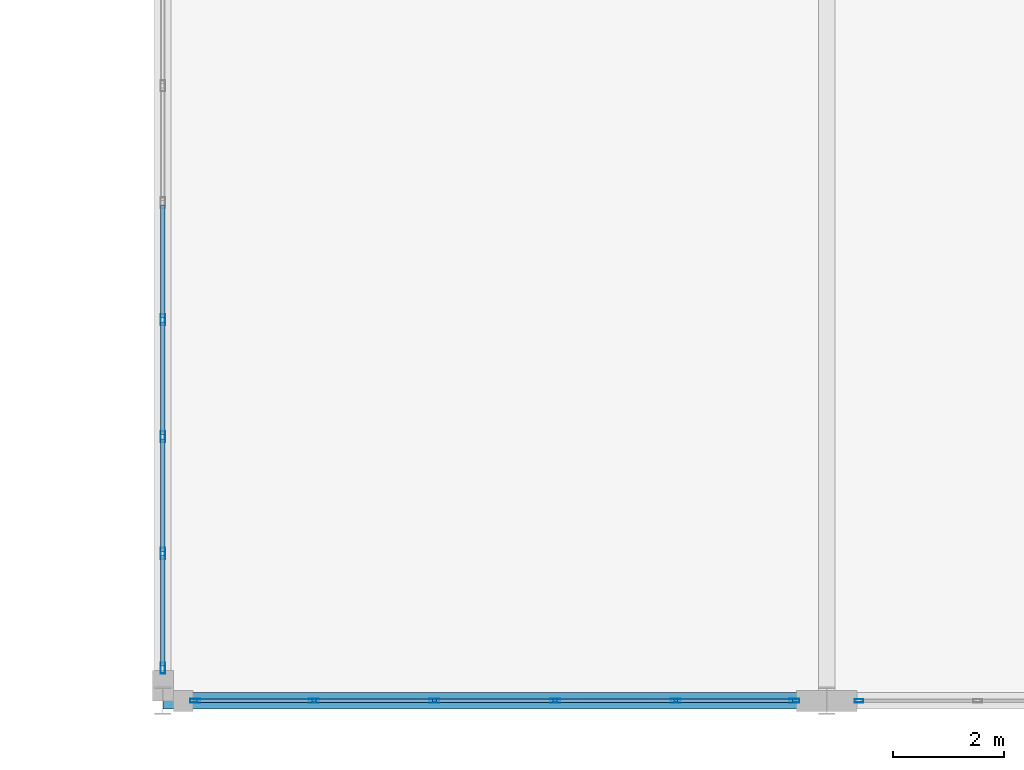
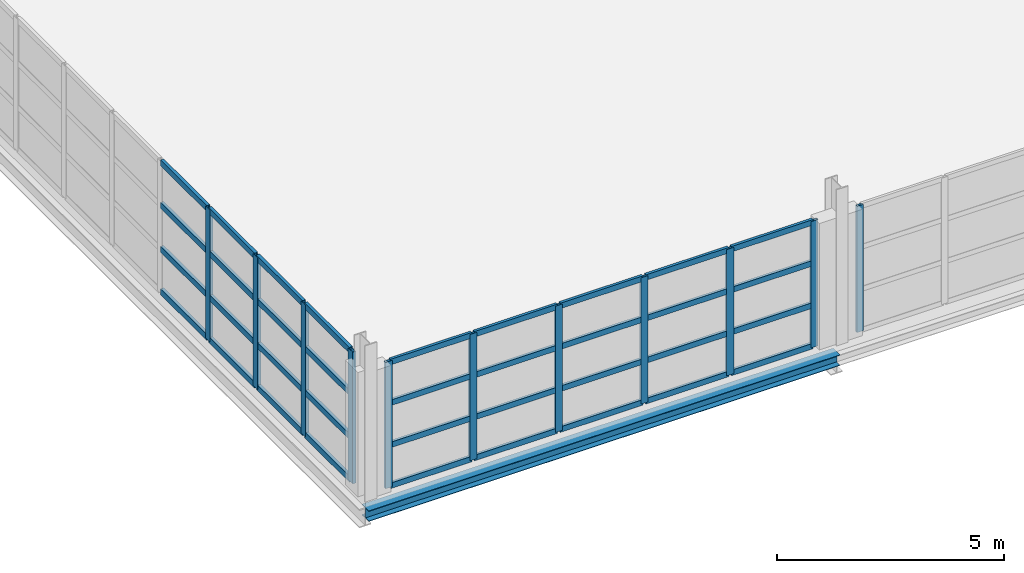
# One storey, part 22 of 158: 47 members, 1 beam, 3 elements without a shape of their own.
"""IFC4 building model written with IfcOpenShell, lengths in metres."""

from ifc_helpers import new_model, si_unit, direction, frame, origin, origin_2d, place, context, subcontext, project, spatial, hollow_rectangle, i_section, extrude, material, layer, layer_set, material_profile, profile_set, type_object, element, aggregate, save


model = new_model("IFC4")

# Units and contexts
model_context = context("Model", 3, precision=1e-05, world=origin(), true_north=direction((0.0, 1.0)))
body_context = subcontext(model_context, "Body", "Model", "MODEL_VIEW")
ifc_project = project(units=[si_unit("LENGTHUNIT", "METRE"), si_unit("AREAUNIT", "SQUARE_METRE"), si_unit("VOLUMEUNIT", "CUBIC_METRE"), si_unit("PLANEANGLEUNIT", "RADIAN"), si_unit("MASSUNIT", "GRAM", prefix="KILO")], contexts=[model_context])

# Site, building, storey
site_placement = place(None, origin())
site = spatial("IfcSite", under=ifc_project, at=site_placement, CompositionType="ELEMENT")
building_placement = place(site_placement, origin())
building = spatial("IfcBuilding", under=site, at=building_placement, Name="Zilviju Railside Exhibition Hall", CompositionType="ELEMENT")
storey_placement = place(building_placement, frame((0.0, 0.0, 4.199951171875)))
storey = spatial("IfcBuildingStorey", under=building, at=storey_placement, Name="L02", CompositionType="ELEMENT", Elevation=4.199951171875)

# Beam
ifc_material_1 = material(Name="Steel S355J2", Category="steel")
ifc_material_profile_1 = material_profile(ifc_material_1, i_section(OverallWidth=0.300048828125, OverallDepth=0.2900390625, WebThickness=0.008544921875, FlangeThickness=0.013916015625, at=origin_2d()), Name="HEA 300")
ifc_profile_set_1 = profile_set([ifc_material_profile_1], Name="Steel S355J2")
beam_type = type_object("IfcBeamType", Name="BM-HEA300", PredefinedType="SPANDREL", material=ifc_profile_set_1)
beam_placement = place(storey_placement, frame((48.0, 0.0, -0.494873046875), z_axis=(1.0, 0.0, 0.0), x_axis=(0.0, 1.0, 0.0)))
element("IfcBeam", 1, at=beam_placement, inside=storey, type_object=beam_type, Name="Primary Girder L02 Y=0.0 (48.0..60.0)", PredefinedType="SPANDREL", context=body_context, shape_type="SweptSolid", body=[
    extrude(i_section(OverallWidth=0.300048828125, OverallDepth=0.2900390625, WebThickness=0.008544921875, FlangeThickness=0.013916015625, at=origin_2d()), origin(), (0.0, 0.0, 1.0), 12.0),
])

# Curtain wall, member
ifc_material_2 = material(Name="Thermally broken aluminium-steel triple-glazed curtain wall", Category="steel")
ifc_layer_1 = layer(ifc_material_2, 0.179931640625)
ifc_layer_set_1 = layer_set([ifc_layer_1], Name="Thermally broken aluminium-steel triple-glazed curtain wall")
curtain_wall_type_1 = type_object("IfcCurtainWallType", Name="CW-BAY-12", PredefinedType="USERDEFINED", material=ifc_layer_set_1)
curtain_wall_1_placement = place(storey_placement, origin())
curtain_wall_1 = element("IfcCurtainWall", 2, at=curtain_wall_1_placement, inside=storey, type_object=curtain_wall_type_1, Name="Winter Concourse South Upper Curtain Wall (60..72)", ObjectType="GLAZED CURTAIN WALL", PredefinedType="USERDEFINED")
ifc_material_3 = material(Name="Thermally broken anodized aluminium mullion", Category="aluminium")
ifc_material_profile_2 = material_profile(ifc_material_3, hollow_rectangle(XDim=0.06494140625, YDim=0.159912109375, WallThickness=0.0048828125, at=origin_2d()), Name="MULLION 160x65x5")
ifc_profile_set_2 = profile_set([ifc_material_profile_2], Name="Thermally broken anodized aluminium mullion")
member_type_1 = type_object("IfcMemberType", Name="CWM-65x160", PredefinedType="MULLION", material=ifc_profile_set_2)
member_1_placement = place(storey_placement, frame((60.58251953125, 0.0, 0.0), z_axis=(0.0, 0.0, 1.0), x_axis=(0.0, -1.0, 0.0)))
member_1 = element("IfcMember", 3, at=member_1_placement, type_object=member_type_1, Name="CW-12 mullion 6", PredefinedType="MULLION", context=body_context, shape_type="SweptSolid", body=[
    extrude(hollow_rectangle(XDim=0.06494140625, YDim=0.159912109375, WallThickness=0.0048828125, at=origin_2d()), origin(), (0.0, 0.0, 1.0), 3.400146484375),
])
aggregate(curtain_wall_1, [member_1])

# Curtain wall, members
ifc_layer_2 = layer(ifc_material_2, 0.179931640625)
ifc_layer_set_2 = layer_set([ifc_layer_2], Name="Thermally broken aluminium-steel triple-glazed curtain wall")
curtain_wall_type_2 = type_object("IfcCurtainWallType", Name="CW-BAY-11", PredefinedType="USERDEFINED", material=ifc_layer_set_2)
curtain_wall_2_placement = place(storey_placement, origin())
curtain_wall_2 = element("IfcCurtainWall", 4, at=curtain_wall_2_placement, inside=storey, type_object=curtain_wall_type_2, Name="Winter Concourse South Upper Curtain Wall (48..60)", ObjectType="GLAZED CURTAIN WALL", PredefinedType="USERDEFINED")
ifc_material_profile_3 = material_profile(ifc_material_3, hollow_rectangle(XDim=0.070068359375, YDim=0.179931640625, WallThickness=0.0048828125, at=origin_2d()), Name="MULLION 180x70x5")
ifc_profile_set_3 = profile_set([ifc_material_profile_3], Name="Thermally broken anodized aluminium mullion")
member_type_2 = type_object("IfcMemberType", Name="CWM-70x180", PredefinedType="MULLION", material=ifc_profile_set_3)
member_2_placement = place(storey_placement, frame((59.4150390625, 0.0, 0.0), z_axis=(0.0, 0.0, 1.0), x_axis=(0.0, -1.0, 0.0)))
member_2 = element("IfcMember", 5, at=member_2_placement, type_object=member_type_2, Name="CW-11 mullion 1", PredefinedType="MULLION", context=body_context, shape_type="SweptSolid", body=[
    extrude(hollow_rectangle(XDim=0.070068359375, YDim=0.179931640625, WallThickness=0.0048828125, at=origin_2d()), origin(), (0.0, 0.0, 1.0), 3.400146484375),
])
member_3_placement = place(storey_placement, frame((57.27001953125, 0.0, 0.0), z_axis=(0.0, 0.0, 1.0), x_axis=(0.0, -1.0, 0.0)))
member_3 = element("IfcMember", 6, at=member_3_placement, type_object=member_type_2, Name="CW-11 mullion 2", PredefinedType="MULLION", context=body_context, shape_type="SweptSolid", body=[
    extrude(hollow_rectangle(XDim=0.070068359375, YDim=0.179931640625, WallThickness=0.0048828125, at=origin_2d()), origin(), (0.0, 0.0, 1.0), 3.400146484375),
])
member_4_placement = place(storey_placement, frame((55.090087890625, 0.0, 0.0), z_axis=(0.0, 0.0, 1.0), x_axis=(0.0, -1.0, 0.0)))
member_4 = element("IfcMember", 7, at=member_4_placement, type_object=member_type_2, Name="CW-11 mullion 3", PredefinedType="MULLION", context=body_context, shape_type="SweptSolid", body=[
    extrude(hollow_rectangle(XDim=0.070068359375, YDim=0.179931640625, WallThickness=0.0048828125, at=origin_2d()), origin(), (0.0, 0.0, 1.0), 3.400146484375),
])
member_5_placement = place(storey_placement, frame((52.909912109375, 0.0, 0.0), z_axis=(0.0, 0.0, 1.0), x_axis=(0.0, -1.0, 0.0)))
member_5 = element("IfcMember", 8, at=member_5_placement, type_object=member_type_2, Name="CW-11 mullion 4", PredefinedType="MULLION", context=body_context, shape_type="SweptSolid", body=[
    extrude(hollow_rectangle(XDim=0.070068359375, YDim=0.179931640625, WallThickness=0.0048828125, at=origin_2d()), origin(), (0.0, 0.0, 1.0), 3.400146484375),
])
member_6_placement = place(storey_placement, frame((50.72998046875, 0.0, 0.0), z_axis=(0.0, 0.0, 1.0), x_axis=(0.0, -1.0, 0.0)))
member_6 = element("IfcMember", 9, at=member_6_placement, type_object=member_type_2, Name="CW-11 mullion 5", PredefinedType="MULLION", context=body_context, shape_type="SweptSolid", body=[
    extrude(hollow_rectangle(XDim=0.070068359375, YDim=0.179931640625, WallThickness=0.0048828125, at=origin_2d()), origin(), (0.0, 0.0, 1.0), 3.400146484375),
])
member_7_placement = place(storey_placement, frame((48.5849609375, 0.0, 0.0), z_axis=(0.0, 0.0, 1.0), x_axis=(0.0, -1.0, 0.0)))
member_7 = element("IfcMember", 10, at=member_7_placement, type_object=member_type_2, Name="CW-11 mullion 6", PredefinedType="MULLION", context=body_context, shape_type="SweptSolid", body=[
    extrude(hollow_rectangle(XDim=0.070068359375, YDim=0.179931640625, WallThickness=0.0048828125, at=origin_2d()), origin(), (0.0, 0.0, 1.0), 3.400146484375),
])

ifc_layer_3 = layer(ifc_material_2, 0.179931640625)
ifc_layer_set_3 = layer_set([ifc_layer_3], Name="Thermally broken aluminium-steel triple-glazed curtain wall")
curtain_wall_type_3 = type_object("IfcCurtainWallType", Name="CW-BAY-14", PredefinedType="USERDEFINED", material=ifc_layer_set_3)
curtain_wall_3_placement = place(storey_placement, origin())
curtain_wall_3 = element("IfcCurtainWall", 11, at=curtain_wall_3_placement, inside=storey, type_object=curtain_wall_type_3, Name="Winter Concourse Forecourt Curtain Wall L02", ObjectType="GLAZED CURTAIN WALL", PredefinedType="USERDEFINED")
ifc_material_profile_4 = material_profile(ifc_material_3, hollow_rectangle(XDim=0.080078125, YDim=0.199951171875, WallThickness=0.0048828125, at=origin_2d()), Name="MULLION 200x80x5")
ifc_profile_set_4 = profile_set([ifc_material_profile_4], Name="Thermally broken anodized aluminium mullion")
member_type_3 = type_object("IfcMemberType", Name="CWM-80x200", PredefinedType="MULLION", material=ifc_profile_set_4)
member_8_placement = place(storey_placement, frame((48.0, 0.590087890625, 0.0), z_axis=(0.0, 0.0, 1.0), x_axis=(-1.0, 0.0, 0.0)))
member_8 = element("IfcMember", 12, at=member_8_placement, type_object=member_type_3, Name="CW-14 mullion 1", PredefinedType="MULLION", context=body_context, shape_type="SweptSolid", body=[
    extrude(hollow_rectangle(XDim=0.080078125, YDim=0.199951171875, WallThickness=0.0048828125, at=origin_2d()), origin(), (0.0, 0.0, 1.0), 3.550048828125),
])
member_9_placement = place(storey_placement, frame((48.0, 2.66259765625, 0.0), z_axis=(0.0, 0.0, 1.0), x_axis=(-1.0, 0.0, 0.0)))
member_9 = element("IfcMember", 13, at=member_9_placement, type_object=member_type_3, Name="CW-14 mullion 2", PredefinedType="MULLION", context=body_context, shape_type="SweptSolid", body=[
    extrude(hollow_rectangle(XDim=0.080078125, YDim=0.199951171875, WallThickness=0.0048828125, at=origin_2d()), origin(), (0.0, 0.0, 1.0), 3.550048828125),
])
member_10_placement = place(storey_placement, frame((48.0, 4.77490234375, 0.0), z_axis=(0.0, 0.0, 1.0), x_axis=(-1.0, 0.0, 0.0)))
member_10 = element("IfcMember", 14, at=member_10_placement, type_object=member_type_3, Name="CW-14 mullion 3", PredefinedType="MULLION", context=body_context, shape_type="SweptSolid", body=[
    extrude(hollow_rectangle(XDim=0.080078125, YDim=0.199951171875, WallThickness=0.0048828125, at=origin_2d()), origin(), (0.0, 0.0, 1.0), 3.550048828125),
])
member_11_placement = place(storey_placement, frame((48.0, 6.887451171875, 0.0), z_axis=(0.0, 0.0, 1.0), x_axis=(-1.0, 0.0, 0.0)))
member_11 = element("IfcMember", 15, at=member_11_placement, type_object=member_type_3, Name="CW-14 mullion 4", PredefinedType="MULLION", context=body_context, shape_type="SweptSolid", body=[
    extrude(hollow_rectangle(XDim=0.080078125, YDim=0.199951171875, WallThickness=0.0048828125, at=origin_2d()), origin(), (0.0, 0.0, 1.0), 3.550048828125),
])

# Member
ifc_material_4 = material(Name="Thermally broken anodized aluminium transom", Category="aluminium")
ifc_material_profile_5 = material_profile(ifc_material_4, hollow_rectangle(XDim=0.070068359375, YDim=0.14990234375, WallThickness=0.0048828125, at=origin_2d()), Name="TRANSOM 150x70x5")
ifc_profile_set_5 = profile_set([ifc_material_profile_5], Name="Thermally broken anodized aluminium transom")
member_type_4 = type_object("IfcMemberType", Name="CWT-70x150", PredefinedType="USERDEFINED", material=ifc_profile_set_5)
member_12_placement = place(storey_placement, frame((59.3798828125, 0.0, 0.03515625), z_axis=(-1.0, 0.0, 0.0), x_axis=(0.0, -1.0, 0.0)))
member_12 = element("IfcMember", 16, at=member_12_placement, type_object=member_type_4, Name="CW-11 transom 1.1", ObjectType="TRANSOM", PredefinedType="USERDEFINED", context=body_context, shape_type="SweptSolid", body=[
    extrude(hollow_rectangle(XDim=0.070068359375, YDim=0.14990234375, WallThickness=0.0048828125, at=origin_2d()), origin(), (0.0, 0.0, 1.0), 2.074951171875),
])

member_13_placement = place(storey_placement, frame((59.3798828125, 0.0, 1.133056640625), z_axis=(-1.0, 0.0, 0.0), x_axis=(0.0, -1.0, 0.0)))
member_13 = element("IfcMember", 17, at=member_13_placement, type_object=member_type_4, Name="CW-11 transom 1.2", ObjectType="TRANSOM", PredefinedType="USERDEFINED", context=body_context, shape_type="SweptSolid", body=[
    extrude(hollow_rectangle(XDim=0.070068359375, YDim=0.14990234375, WallThickness=0.0048828125, at=origin_2d()), origin(), (0.0, 0.0, 1.0), 2.074951171875),
])

member_14_placement = place(storey_placement, frame((59.3798828125, 0.0, 2.26708984375), z_axis=(-1.0, 0.0, 0.0), x_axis=(0.0, -1.0, 0.0)))
member_14 = element("IfcMember", 18, at=member_14_placement, type_object=member_type_4, Name="CW-11 transom 1.3", ObjectType="TRANSOM", PredefinedType="USERDEFINED", context=body_context, shape_type="SweptSolid", body=[
    extrude(hollow_rectangle(XDim=0.070068359375, YDim=0.14990234375, WallThickness=0.0048828125, at=origin_2d()), origin(), (0.0, 0.0, 1.0), 2.074951171875),
])

member_15_placement = place(storey_placement, frame((59.3798828125, 0.0, 3.364990234375), z_axis=(-1.0, 0.0, 0.0), x_axis=(0.0, -1.0, 0.0)))
member_15 = element("IfcMember", 19, at=member_15_placement, type_object=member_type_4, Name="CW-11 transom 1.4", ObjectType="TRANSOM", PredefinedType="USERDEFINED", context=body_context, shape_type="SweptSolid", body=[
    extrude(hollow_rectangle(XDim=0.070068359375, YDim=0.14990234375, WallThickness=0.0048828125, at=origin_2d()), origin(), (0.0, 0.0, 1.0), 2.074951171875),
])

member_16_placement = place(storey_placement, frame((57.235107421875, 0.0, 0.03515625), z_axis=(-1.0, 0.0, 0.0), x_axis=(0.0, -1.0, 0.0)))
member_16 = element("IfcMember", 20, at=member_16_placement, type_object=member_type_4, Name="CW-11 transom 2.1", ObjectType="TRANSOM", PredefinedType="USERDEFINED", context=body_context, shape_type="SweptSolid", body=[
    extrude(hollow_rectangle(XDim=0.070068359375, YDim=0.14990234375, WallThickness=0.0048828125, at=origin_2d()), origin(), (0.0, 0.0, 1.0), 2.110107421875),
])

member_17_placement = place(storey_placement, frame((57.235107421875, 0.0, 1.133056640625), z_axis=(-1.0, 0.0, 0.0), x_axis=(0.0, -1.0, 0.0)))
member_17 = element("IfcMember", 21, at=member_17_placement, type_object=member_type_4, Name="CW-11 transom 2.2", ObjectType="TRANSOM", PredefinedType="USERDEFINED", context=body_context, shape_type="SweptSolid", body=[
    extrude(hollow_rectangle(XDim=0.070068359375, YDim=0.14990234375, WallThickness=0.0048828125, at=origin_2d()), origin(), (0.0, 0.0, 1.0), 2.110107421875),
])

member_18_placement = place(storey_placement, frame((57.235107421875, 0.0, 2.26708984375), z_axis=(-1.0, 0.0, 0.0), x_axis=(0.0, -1.0, 0.0)))
member_18 = element("IfcMember", 22, at=member_18_placement, type_object=member_type_4, Name="CW-11 transom 2.3", ObjectType="TRANSOM", PredefinedType="USERDEFINED", context=body_context, shape_type="SweptSolid", body=[
    extrude(hollow_rectangle(XDim=0.070068359375, YDim=0.14990234375, WallThickness=0.0048828125, at=origin_2d()), origin(), (0.0, 0.0, 1.0), 2.110107421875),
])

member_19_placement = place(storey_placement, frame((57.235107421875, 0.0, 3.364990234375), z_axis=(-1.0, 0.0, 0.0), x_axis=(0.0, -1.0, 0.0)))
member_19 = element("IfcMember", 23, at=member_19_placement, type_object=member_type_4, Name="CW-11 transom 2.4", ObjectType="TRANSOM", PredefinedType="USERDEFINED", context=body_context, shape_type="SweptSolid", body=[
    extrude(hollow_rectangle(XDim=0.070068359375, YDim=0.14990234375, WallThickness=0.0048828125, at=origin_2d()), origin(), (0.0, 0.0, 1.0), 2.110107421875),
])

member_20_placement = place(storey_placement, frame((55.054931640625, 0.0, 0.03515625), z_axis=(-1.0, 0.0, 0.0), x_axis=(0.0, -1.0, 0.0)))
member_20 = element("IfcMember", 24, at=member_20_placement, type_object=member_type_4, Name="CW-11 transom 3.1", ObjectType="TRANSOM", PredefinedType="USERDEFINED", context=body_context, shape_type="SweptSolid", body=[
    extrude(hollow_rectangle(XDim=0.070068359375, YDim=0.14990234375, WallThickness=0.0048828125, at=origin_2d()), origin(), (0.0, 0.0, 1.0), 2.10986328125),
])

member_21_placement = place(storey_placement, frame((55.054931640625, 0.0, 1.133056640625), z_axis=(-1.0, 0.0, 0.0), x_axis=(0.0, -1.0, 0.0)))
member_21 = element("IfcMember", 25, at=member_21_placement, type_object=member_type_4, Name="CW-11 transom 3.2", ObjectType="TRANSOM", PredefinedType="USERDEFINED", context=body_context, shape_type="SweptSolid", body=[
    extrude(hollow_rectangle(XDim=0.070068359375, YDim=0.14990234375, WallThickness=0.0048828125, at=origin_2d()), origin(), (0.0, 0.0, 1.0), 2.10986328125),
])

member_22_placement = place(storey_placement, frame((55.054931640625, 0.0, 2.26708984375), z_axis=(-1.0, 0.0, 0.0), x_axis=(0.0, -1.0, 0.0)))
member_22 = element("IfcMember", 26, at=member_22_placement, type_object=member_type_4, Name="CW-11 transom 3.3", ObjectType="TRANSOM", PredefinedType="USERDEFINED", context=body_context, shape_type="SweptSolid", body=[
    extrude(hollow_rectangle(XDim=0.070068359375, YDim=0.14990234375, WallThickness=0.0048828125, at=origin_2d()), origin(), (0.0, 0.0, 1.0), 2.10986328125),
])

member_23_placement = place(storey_placement, frame((55.054931640625, 0.0, 3.364990234375), z_axis=(-1.0, 0.0, 0.0), x_axis=(0.0, -1.0, 0.0)))
member_23 = element("IfcMember", 27, at=member_23_placement, type_object=member_type_4, Name="CW-11 transom 3.4", ObjectType="TRANSOM", PredefinedType="USERDEFINED", context=body_context, shape_type="SweptSolid", body=[
    extrude(hollow_rectangle(XDim=0.070068359375, YDim=0.14990234375, WallThickness=0.0048828125, at=origin_2d()), origin(), (0.0, 0.0, 1.0), 2.10986328125),
])

member_24_placement = place(storey_placement, frame((52.875, 0.0, 0.03515625), z_axis=(-1.0, 0.0, 0.0), x_axis=(0.0, -1.0, 0.0)))
member_24 = element("IfcMember", 28, at=member_24_placement, type_object=member_type_4, Name="CW-11 transom 4.1", ObjectType="TRANSOM", PredefinedType="USERDEFINED", context=body_context, shape_type="SweptSolid", body=[
    extrude(hollow_rectangle(XDim=0.070068359375, YDim=0.14990234375, WallThickness=0.0048828125, at=origin_2d()), origin(), (0.0, 0.0, 1.0), 2.110107421875),
])

member_25_placement = place(storey_placement, frame((52.875, 0.0, 1.133056640625), z_axis=(-1.0, 0.0, 0.0), x_axis=(0.0, -1.0, 0.0)))
member_25 = element("IfcMember", 29, at=member_25_placement, type_object=member_type_4, Name="CW-11 transom 4.2", ObjectType="TRANSOM", PredefinedType="USERDEFINED", context=body_context, shape_type="SweptSolid", body=[
    extrude(hollow_rectangle(XDim=0.070068359375, YDim=0.14990234375, WallThickness=0.0048828125, at=origin_2d()), origin(), (0.0, 0.0, 1.0), 2.110107421875),
])

member_26_placement = place(storey_placement, frame((52.875, 0.0, 2.26708984375), z_axis=(-1.0, 0.0, 0.0), x_axis=(0.0, -1.0, 0.0)))
member_26 = element("IfcMember", 30, at=member_26_placement, type_object=member_type_4, Name="CW-11 transom 4.3", ObjectType="TRANSOM", PredefinedType="USERDEFINED", context=body_context, shape_type="SweptSolid", body=[
    extrude(hollow_rectangle(XDim=0.070068359375, YDim=0.14990234375, WallThickness=0.0048828125, at=origin_2d()), origin(), (0.0, 0.0, 1.0), 2.110107421875),
])

member_27_placement = place(storey_placement, frame((52.875, 0.0, 3.364990234375), z_axis=(-1.0, 0.0, 0.0), x_axis=(0.0, -1.0, 0.0)))
member_27 = element("IfcMember", 31, at=member_27_placement, type_object=member_type_4, Name="CW-11 transom 4.4", ObjectType="TRANSOM", PredefinedType="USERDEFINED", context=body_context, shape_type="SweptSolid", body=[
    extrude(hollow_rectangle(XDim=0.070068359375, YDim=0.14990234375, WallThickness=0.0048828125, at=origin_2d()), origin(), (0.0, 0.0, 1.0), 2.110107421875),
])

member_28_placement = place(storey_placement, frame((50.695068359375, 0.0, 0.03515625), z_axis=(-1.0, 0.0, 0.0), x_axis=(0.0, -1.0, 0.0)))
member_28 = element("IfcMember", 32, at=member_28_placement, type_object=member_type_4, Name="CW-11 transom 5.1", ObjectType="TRANSOM", PredefinedType="USERDEFINED", context=body_context, shape_type="SweptSolid", body=[
    extrude(hollow_rectangle(XDim=0.070068359375, YDim=0.14990234375, WallThickness=0.0048828125, at=origin_2d()), origin(), (0.0, 0.0, 1.0), 2.074951171875),
])

member_29_placement = place(storey_placement, frame((50.695068359375, 0.0, 1.133056640625), z_axis=(-1.0, 0.0, 0.0), x_axis=(0.0, -1.0, 0.0)))
member_29 = element("IfcMember", 33, at=member_29_placement, type_object=member_type_4, Name="CW-11 transom 5.2", ObjectType="TRANSOM", PredefinedType="USERDEFINED", context=body_context, shape_type="SweptSolid", body=[
    extrude(hollow_rectangle(XDim=0.070068359375, YDim=0.14990234375, WallThickness=0.0048828125, at=origin_2d()), origin(), (0.0, 0.0, 1.0), 2.074951171875),
])

member_30_placement = place(storey_placement, frame((50.695068359375, 0.0, 2.26708984375), z_axis=(-1.0, 0.0, 0.0), x_axis=(0.0, -1.0, 0.0)))
member_30 = element("IfcMember", 34, at=member_30_placement, type_object=member_type_4, Name="CW-11 transom 5.3", ObjectType="TRANSOM", PredefinedType="USERDEFINED", context=body_context, shape_type="SweptSolid", body=[
    extrude(hollow_rectangle(XDim=0.070068359375, YDim=0.14990234375, WallThickness=0.0048828125, at=origin_2d()), origin(), (0.0, 0.0, 1.0), 2.074951171875),
])

member_31_placement = place(storey_placement, frame((50.695068359375, 0.0, 3.364990234375), z_axis=(-1.0, 0.0, 0.0), x_axis=(0.0, -1.0, 0.0)))
member_31 = element("IfcMember", 35, at=member_31_placement, type_object=member_type_4, Name="CW-11 transom 5.4", ObjectType="TRANSOM", PredefinedType="USERDEFINED", context=body_context, shape_type="SweptSolid", body=[
    extrude(hollow_rectangle(XDim=0.070068359375, YDim=0.14990234375, WallThickness=0.0048828125, at=origin_2d()), origin(), (0.0, 0.0, 1.0), 2.074951171875),
])

aggregate(curtain_wall_2, [member_2, member_3, member_4, member_5, member_6, member_7, member_12, member_13, member_14, member_15, member_16, member_17, member_18, member_19, member_20, member_21, member_22, member_23, member_24, member_25, member_26, member_27, member_28, member_29, member_30, member_31])

ifc_material_profile_6 = material_profile(ifc_material_4, hollow_rectangle(XDim=0.080078125, YDim=0.159912109375, WallThickness=0.0048828125, at=origin_2d()), Name="TRANSOM 160x80x5")
ifc_profile_set_6 = profile_set([ifc_material_profile_6], Name="Thermally broken anodized aluminium transom")
member_type_5 = type_object("IfcMemberType", Name="CWT-80x160", PredefinedType="USERDEFINED", material=ifc_profile_set_6)
member_32_placement = place(storey_placement, frame((48.0, 0.6298828125, 0.0400390625), z_axis=(0.0, 1.0, 0.0), x_axis=(-1.0, 0.0, 0.0)))
member_32 = element("IfcMember", 36, at=member_32_placement, type_object=member_type_5, Name="CW-14 transom 1.1", ObjectType="TRANSOM", PredefinedType="USERDEFINED", context=body_context, shape_type="SweptSolid", body=[
    extrude(hollow_rectangle(XDim=0.080078125, YDim=0.159912109375, WallThickness=0.0048828125, at=origin_2d()), origin(), (0.0, 0.0, 1.0), 1.99267578125),
])

member_33_placement = place(storey_placement, frame((48.0, 0.6298828125, 1.18310546875), z_axis=(0.0, 1.0, 0.0), x_axis=(-1.0, 0.0, 0.0)))
member_33 = element("IfcMember", 37, at=member_33_placement, type_object=member_type_5, Name="CW-14 transom 1.2", ObjectType="TRANSOM", PredefinedType="USERDEFINED", context=body_context, shape_type="SweptSolid", body=[
    extrude(hollow_rectangle(XDim=0.080078125, YDim=0.159912109375, WallThickness=0.0048828125, at=origin_2d()), origin(), (0.0, 0.0, 1.0), 1.99267578125),
])

member_34_placement = place(storey_placement, frame((48.0, 0.6298828125, 2.366943359375), z_axis=(0.0, 1.0, 0.0), x_axis=(-1.0, 0.0, 0.0)))
member_34 = element("IfcMember", 38, at=member_34_placement, type_object=member_type_5, Name="CW-14 transom 1.3", ObjectType="TRANSOM", PredefinedType="USERDEFINED", context=body_context, shape_type="SweptSolid", body=[
    extrude(hollow_rectangle(XDim=0.080078125, YDim=0.159912109375, WallThickness=0.0048828125, at=origin_2d()), origin(), (0.0, 0.0, 1.0), 1.99267578125),
])

member_35_placement = place(storey_placement, frame((48.0, 0.6298828125, 3.510009765625), z_axis=(0.0, 1.0, 0.0), x_axis=(-1.0, 0.0, 0.0)))
member_35 = element("IfcMember", 39, at=member_35_placement, type_object=member_type_5, Name="CW-14 transom 1.4", ObjectType="TRANSOM", PredefinedType="USERDEFINED", context=body_context, shape_type="SweptSolid", body=[
    extrude(hollow_rectangle(XDim=0.080078125, YDim=0.159912109375, WallThickness=0.0048828125, at=origin_2d()), origin(), (0.0, 0.0, 1.0), 1.99267578125),
])

member_36_placement = place(storey_placement, frame((48.0, 2.702392578125, 0.0400390625), z_axis=(0.0, 1.0, 0.0), x_axis=(-1.0, 0.0, 0.0)))
member_36 = element("IfcMember", 40, at=member_36_placement, type_object=member_type_5, Name="CW-14 transom 2.1", ObjectType="TRANSOM", PredefinedType="USERDEFINED", context=body_context, shape_type="SweptSolid", body=[
    extrude(hollow_rectangle(XDim=0.080078125, YDim=0.159912109375, WallThickness=0.0048828125, at=origin_2d()), origin(), (0.0, 0.0, 1.0), 2.03271484375),
])

member_37_placement = place(storey_placement, frame((48.0, 2.702392578125, 1.18310546875), z_axis=(0.0, 1.0, 0.0), x_axis=(-1.0, 0.0, 0.0)))
member_37 = element("IfcMember", 41, at=member_37_placement, type_object=member_type_5, Name="CW-14 transom 2.2", ObjectType="TRANSOM", PredefinedType="USERDEFINED", context=body_context, shape_type="SweptSolid", body=[
    extrude(hollow_rectangle(XDim=0.080078125, YDim=0.159912109375, WallThickness=0.0048828125, at=origin_2d()), origin(), (0.0, 0.0, 1.0), 2.03271484375),
])

member_38_placement = place(storey_placement, frame((48.0, 2.702392578125, 2.366943359375), z_axis=(0.0, 1.0, 0.0), x_axis=(-1.0, 0.0, 0.0)))
member_38 = element("IfcMember", 42, at=member_38_placement, type_object=member_type_5, Name="CW-14 transom 2.3", ObjectType="TRANSOM", PredefinedType="USERDEFINED", context=body_context, shape_type="SweptSolid", body=[
    extrude(hollow_rectangle(XDim=0.080078125, YDim=0.159912109375, WallThickness=0.0048828125, at=origin_2d()), origin(), (0.0, 0.0, 1.0), 2.03271484375),
])

member_39_placement = place(storey_placement, frame((48.0, 2.702392578125, 3.510009765625), z_axis=(0.0, 1.0, 0.0), x_axis=(-1.0, 0.0, 0.0)))
member_39 = element("IfcMember", 43, at=member_39_placement, type_object=member_type_5, Name="CW-14 transom 2.4", ObjectType="TRANSOM", PredefinedType="USERDEFINED", context=body_context, shape_type="SweptSolid", body=[
    extrude(hollow_rectangle(XDim=0.080078125, YDim=0.159912109375, WallThickness=0.0048828125, at=origin_2d()), origin(), (0.0, 0.0, 1.0), 2.03271484375),
])

member_40_placement = place(storey_placement, frame((48.0, 4.81494140625, 0.0400390625), z_axis=(0.0, 1.0, 0.0), x_axis=(-1.0, 0.0, 0.0)))
member_40 = element("IfcMember", 44, at=member_40_placement, type_object=member_type_5, Name="CW-14 transom 3.1", ObjectType="TRANSOM", PredefinedType="USERDEFINED", context=body_context, shape_type="SweptSolid", body=[
    extrude(hollow_rectangle(XDim=0.080078125, YDim=0.159912109375, WallThickness=0.0048828125, at=origin_2d()), origin(), (0.0, 0.0, 1.0), 2.032470703125),
])

member_41_placement = place(storey_placement, frame((48.0, 4.81494140625, 1.18310546875), z_axis=(0.0, 1.0, 0.0), x_axis=(-1.0, 0.0, 0.0)))
member_41 = element("IfcMember", 45, at=member_41_placement, type_object=member_type_5, Name="CW-14 transom 3.2", ObjectType="TRANSOM", PredefinedType="USERDEFINED", context=body_context, shape_type="SweptSolid", body=[
    extrude(hollow_rectangle(XDim=0.080078125, YDim=0.159912109375, WallThickness=0.0048828125, at=origin_2d()), origin(), (0.0, 0.0, 1.0), 2.032470703125),
])

member_42_placement = place(storey_placement, frame((48.0, 4.81494140625, 2.366943359375), z_axis=(0.0, 1.0, 0.0), x_axis=(-1.0, 0.0, 0.0)))
member_42 = element("IfcMember", 46, at=member_42_placement, type_object=member_type_5, Name="CW-14 transom 3.3", ObjectType="TRANSOM", PredefinedType="USERDEFINED", context=body_context, shape_type="SweptSolid", body=[
    extrude(hollow_rectangle(XDim=0.080078125, YDim=0.159912109375, WallThickness=0.0048828125, at=origin_2d()), origin(), (0.0, 0.0, 1.0), 2.032470703125),
])

member_43_placement = place(storey_placement, frame((48.0, 4.81494140625, 3.510009765625), z_axis=(0.0, 1.0, 0.0), x_axis=(-1.0, 0.0, 0.0)))
member_43 = element("IfcMember", 47, at=member_43_placement, type_object=member_type_5, Name="CW-14 transom 3.4", ObjectType="TRANSOM", PredefinedType="USERDEFINED", context=body_context, shape_type="SweptSolid", body=[
    extrude(hollow_rectangle(XDim=0.080078125, YDim=0.159912109375, WallThickness=0.0048828125, at=origin_2d()), origin(), (0.0, 0.0, 1.0), 2.032470703125),
])

member_44_placement = place(storey_placement, frame((48.0, 6.927490234375, 0.0400390625), z_axis=(0.0, 1.0, 0.0), x_axis=(-1.0, 0.0, 0.0)))
member_44 = element("IfcMember", 48, at=member_44_placement, type_object=member_type_5, Name="CW-14 transom 4.1", ObjectType="TRANSOM", PredefinedType="USERDEFINED", context=body_context, shape_type="SweptSolid", body=[
    extrude(hollow_rectangle(XDim=0.080078125, YDim=0.159912109375, WallThickness=0.0048828125, at=origin_2d()), origin(), (0.0, 0.0, 1.0), 2.032470703125),
])

member_45_placement = place(storey_placement, frame((48.0, 6.927490234375, 1.18310546875), z_axis=(0.0, 1.0, 0.0), x_axis=(-1.0, 0.0, 0.0)))
member_45 = element("IfcMember", 49, at=member_45_placement, type_object=member_type_5, Name="CW-14 transom 4.2", ObjectType="TRANSOM", PredefinedType="USERDEFINED", context=body_context, shape_type="SweptSolid", body=[
    extrude(hollow_rectangle(XDim=0.080078125, YDim=0.159912109375, WallThickness=0.0048828125, at=origin_2d()), origin(), (0.0, 0.0, 1.0), 2.032470703125),
])

member_46_placement = place(storey_placement, frame((48.0, 6.927490234375, 2.366943359375), z_axis=(0.0, 1.0, 0.0), x_axis=(-1.0, 0.0, 0.0)))
member_46 = element("IfcMember", 50, at=member_46_placement, type_object=member_type_5, Name="CW-14 transom 4.3", ObjectType="TRANSOM", PredefinedType="USERDEFINED", context=body_context, shape_type="SweptSolid", body=[
    extrude(hollow_rectangle(XDim=0.080078125, YDim=0.159912109375, WallThickness=0.0048828125, at=origin_2d()), origin(), (0.0, 0.0, 1.0), 2.032470703125),
])

member_47_placement = place(storey_placement, frame((48.0, 6.927490234375, 3.510009765625), z_axis=(0.0, 1.0, 0.0), x_axis=(-1.0, 0.0, 0.0)))
member_47 = element("IfcMember", 51, at=member_47_placement, type_object=member_type_5, Name="CW-14 transom 4.4", ObjectType="TRANSOM", PredefinedType="USERDEFINED", context=body_context, shape_type="SweptSolid", body=[
    extrude(hollow_rectangle(XDim=0.080078125, YDim=0.159912109375, WallThickness=0.0048828125, at=origin_2d()), origin(), (0.0, 0.0, 1.0), 2.032470703125),
])

aggregate(curtain_wall_3, [member_8, member_9, member_10, member_11, member_32, member_33, member_34, member_35, member_36, member_37, member_38, member_39, member_40, member_41, member_42, member_43, member_44, member_45, member_46, member_47])

save(model, "model.ifc")
